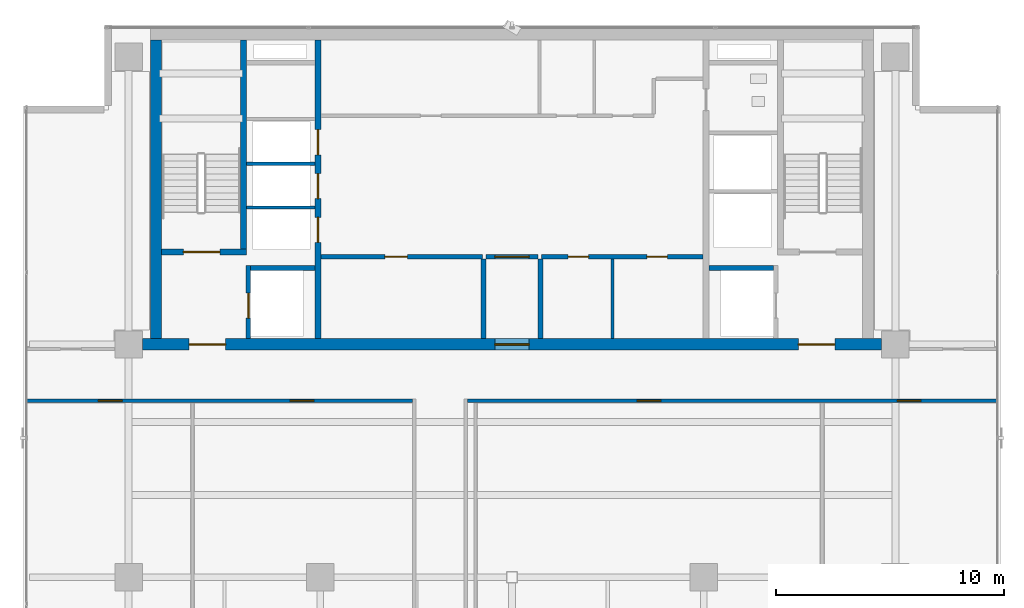
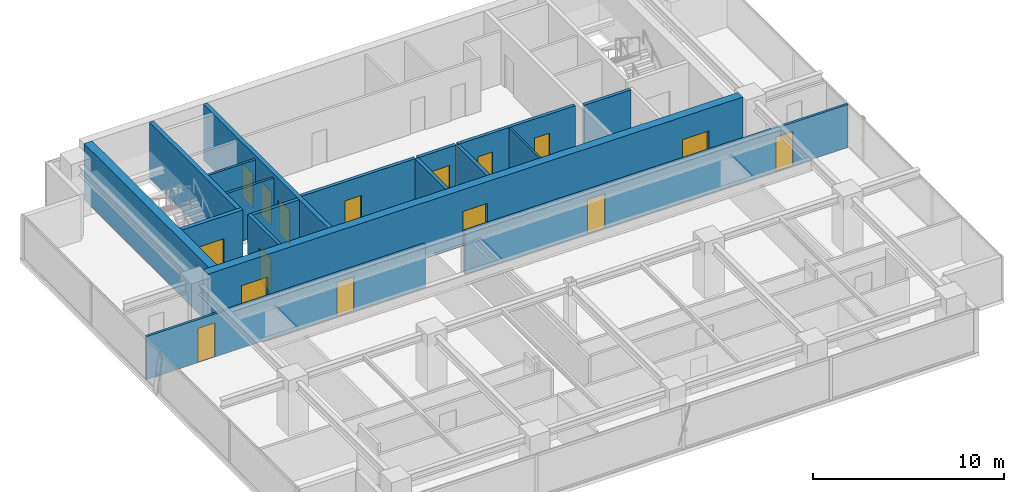
# One storey, part 15 of 20: 18 walls, 16 doors, 16 openings.
"""IFC4 building model written with IfcOpenShell, lengths in metres."""

from ifc_helpers import new_model, si_unit, direction, frame, frame_2d, origin, place, context, subcontext, project, spatial, rectangle, extrude, source, transform, mapped, material, layer, layer_set, type_object, element, fill, save


model = new_model("IFC4")

# Units and contexts
model_context = context("Model", 3, precision=1e-05, world=origin(), true_north=direction((0.0, 1.0)))
body_context = subcontext(model_context, "Body", "Model", "MODEL_VIEW")
ifc_project = project(units=[si_unit("LENGTHUNIT", "METRE"), si_unit("AREAUNIT", "SQUARE_METRE"), si_unit("VOLUMEUNIT", "CUBIC_METRE"), si_unit("PLANEANGLEUNIT", "RADIAN"), si_unit("MASSUNIT", "GRAM", prefix="KILO")], contexts=[model_context])

# Site, building, storey
site_placement = place(None, origin())
site = spatial("IfcSite", under=ifc_project, at=site_placement, CompositionType="ELEMENT")
building_placement = place(site_placement, origin())
building = spatial("IfcBuilding", under=site, at=building_placement, Name="Sumidabori Civic Tower", CompositionType="ELEMENT")
storey_placement = place(building_placement, frame((0.0, 0.0, 282.800048828125)))
storey = spatial("IfcBuildingStorey", under=building, at=storey_placement, Name="L74", CompositionType="ELEMENT", Elevation=282.800048828125)

# Walls
ifc_material_1 = material(Name="Concrete C50/60", Category="concrete")
ifc_layer_1 = layer(ifc_material_1, 0.199951171875, Name="Concrete C50/60")
ifc_layer_set_1 = layer_set([ifc_layer_1], Name="Concrete C50/60")
wall_type_1 = type_object("IfcWallType", Name="WL-SHAFT-200", PredefinedType="SHEAR", material=ifc_layer_set_1)
shared_shape_1 = source(origin(), body_context, "Body", "SweptSolid", [
    extrude(rectangle(XDim=2.824951171875, YDim=0.199951171875, at=frame_2d((1.41259765625, 0.0))), origin(), (0.0, 0.0, 1.0), 3.599853515625),
])
for number, where, z_axis, x_axis, name in (
    (1, (-11.449951171875, 13.550048828125, 0.0), (0.0, 0.0, 1.0), (1.0, 0.0, 0.0), "Core Shear Wall L74 EL1-N"),
    (2, (8.625, 13.550048828125, 0.0), (0.0, 0.0, 1.0), (1.0, 0.0, 0.0), "Core Shear Wall L74 EL2-N"),
):
    element("IfcWall", number, at=place(storey_placement, frame(where, z_axis=z_axis, x_axis=x_axis)), inside=storey, type_object=wall_type_1, Name=name, PredefinedType="SHEAR", context=body_context, shape_type="MappedRepresentation", body=[
        mapped(shared_shape_1, transform((0.0, 0.0, 0.0), x_axis=(1.0, 0.0, 0.0), y_axis=(0.0, 1.0, 0.0), z_axis=(0.0, 0.0, 1.0), scale=1.0)),
    ])
ifc_layer_2 = layer(ifc_material_1, 0.5, Name="Concrete C50/60")
ifc_layer_set_2 = layer_set([ifc_layer_2], Name="Concrete C50/60")
wall_type_2 = type_object("IfcWallType", Name="WL-CORE-500", PredefinedType="SHEAR", material=ifc_layer_set_2)
shared_shape_2 = source(origin(), body_context, "Body", "SweptSolid", [
    extrude(rectangle(XDim=13.10009765625, YDim=0.5, at=frame_2d((6.550048828125, 0.0))), origin(), (0.0, 0.0, 1.0), 3.599853515625),
])
wall_1_placement = place(storey_placement, frame((-15.60009765625, 10.449951171875, 0.0), z_axis=(0.0, 0.0, 1.0), x_axis=(0.0, 1.0, 0.0)))
element("IfcWall", 3, at=wall_1_placement, inside=storey, type_object=wall_type_2, Name="Core Shear Wall L74 W", PredefinedType="SHEAR", context=body_context, shape_type="MappedRepresentation", body=[
    mapped(shared_shape_2, transform((0.0, 0.0, 0.0), x_axis=(1.0, 0.0, 0.0), y_axis=(0.0, 1.0, 0.0), z_axis=(0.0, 0.0, 1.0), scale=1.0)),
])

# Wall, openings, doors
ifc_layer_3 = layer(ifc_material_1, 0.25, Name="Concrete C50/60")
ifc_layer_set_3 = layer_set([ifc_layer_3], Name="Concrete C50/60")
wall_type_3 = type_object("IfcWallType", Name="WL-SHAFT-250", PredefinedType="SHEAR", material=ifc_layer_set_3)
shared_shape_3 = source(origin(), body_context, "Body", "SweptSolid", [
    extrude(rectangle(XDim=13.10009765625, YDim=0.25, at=frame_2d((6.550048828125, 0.0))), origin(), (0.0, 0.0, 1.0), 3.599853515625),
])
wall_2_placement = place(storey_placement, frame((-8.5, 10.449951171875, 0.0), z_axis=(0.0, 0.0, 1.0), x_axis=(0.0, 1.0, 0.0)))
wall_2 = element("IfcWall", 4, at=wall_2_placement, inside=storey, type_object=wall_type_3, Name="Core Shear Wall L74 WEB-W", PredefinedType="SHEAR", context=body_context, shape_type="MappedRepresentation", body=[
    mapped(shared_shape_3, transform((0.0, 0.0, 0.0), x_axis=(1.0, 0.0, 0.0), y_axis=(0.0, 1.0, 0.0), z_axis=(0.0, 0.0, 1.0), scale=1.0)),
])
opening_1_placement = place(wall_2_placement, frame((4.219970703125, 0.0, 0.0)))
opening_1 = element("IfcOpeningElement", 5, at=opening_1_placement, cuts=wall_2, Name="Opening LD-1", PredefinedType="OPENING", context=body_context, shape_type="SweptSolid", body=[
    extrude(rectangle(XDim=1.10009765625, YDim=2.14990234375, at=frame_2d((0.550048828125, 1.074951171875))), frame((0.0, 0.136962890625, 0.0), z_axis=(0.0, -1.0, 0.0), x_axis=(1.0, 0.0, 0.0)), (0.0, 0.0, 1.0), 0.27392578125),
])
opening_2_placement = place(wall_2_placement, frame((6.139892578125, 0.0, 0.0)))
opening_2 = element("IfcOpeningElement", 6, at=opening_2_placement, cuts=wall_2, Name="Opening LD-1", PredefinedType="OPENING", context=body_context, shape_type="SweptSolid", body=[
    extrude(rectangle(XDim=1.10009765625, YDim=2.14990234375, at=frame_2d((0.550048828125, 1.074951171875))), frame((0.0, 0.136962890625, 0.0), z_axis=(0.0, -1.0, 0.0), x_axis=(1.0, 0.0, 0.0)), (0.0, 0.0, 1.0), 0.27392578125),
])
opening_3_placement = place(wall_2_placement, frame((8.06005859375, 0.0, 0.0)))
opening_3 = element("IfcOpeningElement", 7, at=opening_3_placement, cuts=wall_2, Name="Opening LD-1", PredefinedType="OPENING", context=body_context, shape_type="SweptSolid", body=[
    extrude(rectangle(XDim=1.10009765625, YDim=2.14990234375, at=frame_2d((0.550048828125, 1.074951171875))), frame((0.0, 0.136962890625, 0.0), z_axis=(0.0, -1.0, 0.0), x_axis=(1.0, 0.0, 0.0)), (0.0, 0.0, 1.0), 0.27392578125),
])
ifc_material_2 = material(Name="Stainless Steel Hairline Finish", Category="steel")
door_type_1 = type_object("IfcDoorType", Name="DR-LD1", OperationType="DOUBLE_DOOR_SLIDING", PredefinedType="DOOR", material=ifc_material_2)
shared_shape_4 = source(origin(), body_context, "Body", "SweptSolid", [
    extrude(rectangle(XDim=1.10009765625, YDim=2.14990234375, at=frame_2d((0.550048828125, 1.074951171875))), frame((0.0, 0.02490234375, 0.0), z_axis=(0.0, -1.0, 0.0), x_axis=(1.0, 0.0, 0.0)), (0.0, 0.0, 1.0), 0.050048828125),
])
door_1_placement = place(opening_1_placement, origin())
door_1 = element("IfcDoor", 8, at=door_1_placement, inside=storey, type_object=door_type_1, Name="Door DR:L74:LD-PLH1", OperationType="DOUBLE_DOOR_SLIDING", OverallHeight=2.14990234375, OverallWidth=1.10009765625, PredefinedType="DOOR", context=body_context, shape_type="MappedRepresentation", body=[
    mapped(shared_shape_4, transform((0.0, 0.0, 0.0), x_axis=(1.0, 0.0, 0.0), y_axis=(0.0, 1.0, 0.0), z_axis=(0.0, 0.0, 1.0), scale=1.0)),
])
fill(opening_1, door_1)
door_2_placement = place(opening_2_placement, origin())
door_2 = element("IfcDoor", 9, at=door_2_placement, inside=storey, type_object=door_type_1, Name="Door DR:L74:LD-PLH2", OperationType="DOUBLE_DOOR_SLIDING", OverallHeight=2.14990234375, OverallWidth=1.10009765625, PredefinedType="DOOR", context=body_context, shape_type="MappedRepresentation", body=[
    mapped(shared_shape_4, transform((0.0, 0.0, 0.0), x_axis=(1.0, 0.0, 0.0), y_axis=(0.0, 1.0, 0.0), z_axis=(0.0, 0.0, 1.0), scale=1.0)),
])
fill(opening_2, door_2)
door_3_placement = place(opening_3_placement, origin())
door_3 = element("IfcDoor", 10, at=door_3_placement, inside=storey, type_object=door_type_1, Name="Door DR:L74:LD-PLH3", OperationType="DOUBLE_DOOR_SLIDING", OverallHeight=2.14990234375, OverallWidth=1.10009765625, PredefinedType="DOOR", context=body_context, shape_type="MappedRepresentation", body=[
    mapped(shared_shape_4, transform((0.0, 0.0, 0.0), x_axis=(1.0, 0.0, 0.0), y_axis=(0.0, 1.0, 0.0), z_axis=(0.0, 0.0, 1.0), scale=1.0)),
])
fill(opening_3, door_3)

# Wall, opening, door
shared_shape_5 = source(origin(), body_context, "Body", "SweptSolid", [
    extrude(rectangle(XDim=3.705078125, YDim=0.25, at=frame_2d((1.8525390625, 0.0))), origin(), (0.0, 0.0, 1.0), 3.599853515625),
])
wall_3_placement = place(storey_placement, frame((-15.35009765625, 14.25, 0.0), z_axis=(0.0, 0.0, 1.0), x_axis=(1.0, 0.0, 0.0)))
wall_3 = element("IfcWall", 11, at=wall_3_placement, inside=storey, type_object=wall_type_3, Name="Core Shear Wall L74 ST1-S", PredefinedType="SHEAR", context=body_context, shape_type="MappedRepresentation", body=[
    mapped(shared_shape_5, transform((0.0, 0.0, 0.0), x_axis=(1.0, 0.0, 0.0), y_axis=(0.0, 1.0, 0.0), z_axis=(0.0, 0.0, 1.0), scale=1.0)),
])
opening_4_placement = place(wall_3_placement, frame((0.949951171875, 0.0, 0.0)))
opening_4 = element("IfcOpeningElement", 12, at=opening_4_placement, cuts=wall_3, Name="Opening DR-FD4", PredefinedType="OPENING", context=body_context, shape_type="SweptSolid", body=[
    extrude(rectangle(XDim=1.60009765625, YDim=2.14990234375, at=frame_2d((0.800048828125, 1.074951171875))), frame((0.0, 0.136962890625, 0.0), z_axis=(0.0, -1.0, 0.0), x_axis=(1.0, 0.0, 0.0)), (0.0, 0.0, 1.0), 0.27392578125),
])
ifc_material_3 = material(Name="Steel SN490", Category="steel")
door_type_2 = type_object("IfcDoorType", Name="DR-FD4", OperationType="DOUBLE_DOOR_SINGLE_SWING", PredefinedType="DOOR", material=ifc_material_3)
shared_shape_6 = source(origin(), body_context, "Body", "SweptSolid", [
    extrude(rectangle(XDim=1.60009765625, YDim=2.14990234375, at=frame_2d((0.800048828125, 1.074951171875))), frame((0.0, 0.02490234375, 0.0), z_axis=(0.0, -1.0, 0.0), x_axis=(1.0, 0.0, 0.0)), (0.0, 0.0, 1.0), 0.050048828125),
])
door_4_placement = place(opening_4_placement, origin())
door_4 = element("IfcDoor", 13, at=door_4_placement, inside=storey, type_object=door_type_2, Name="Door DR:L74:ST1", OperationType="DOUBLE_DOOR_SINGLE_SWING", OverallHeight=2.14990234375, OverallWidth=1.60009765625, PredefinedType="DOOR", context=body_context, shape_type="MappedRepresentation", body=[
    mapped(shared_shape_6, transform((0.0, 0.0, 0.0), x_axis=(1.0, 0.0, 0.0), y_axis=(0.0, 1.0, 0.0), z_axis=(0.0, 0.0, 1.0), scale=1.0)),
])
fill(opening_4, door_4)

# Wall
shared_shape_7 = source(origin(), body_context, "Body", "SweptSolid", [
    extrude(rectangle(XDim=9.175048828125, YDim=0.25, at=frame_2d((4.58740234375, 0.0))), origin(), (0.0, 0.0, 1.0), 3.599853515625),
])
wall_4_placement = place(storey_placement, frame((-11.77001953125, 14.375, 0.0), z_axis=(0.0, 0.0, 1.0), x_axis=(0.0, 1.0, 0.0)))
element("IfcWall", 14, at=wall_4_placement, inside=storey, type_object=wall_type_3, Name="Core Shear Wall L74 ST1-E", PredefinedType="SHEAR", context=body_context, shape_type="MappedRepresentation", body=[
    mapped(shared_shape_7, transform((0.0, 0.0, 0.0), x_axis=(1.0, 0.0, 0.0), y_axis=(0.0, 1.0, 0.0), z_axis=(0.0, 0.0, 1.0), scale=1.0)),
])

# Wall, opening, door
shared_shape_8 = source(origin(), body_context, "Body", "SweptSolid", [
    extrude(rectangle(XDim=3.199951171875, YDim=0.199951171875, at=frame_2d((1.60009765625, 0.0))), origin(), (0.0, 0.0, 1.0), 3.599853515625),
])
wall_5_placement = place(storey_placement, frame((-11.550048828125, 10.449951171875, 0.0), z_axis=(0.0, 0.0, 1.0), x_axis=(0.0, 1.0, 0.0)))
wall_5 = element("IfcWall", 15, at=wall_5_placement, inside=storey, type_object=wall_type_1, Name="Core Shear Wall L74 EL1-W", PredefinedType="SHEAR", context=body_context, shape_type="MappedRepresentation", body=[
    mapped(shared_shape_8, transform((0.0, 0.0, 0.0), x_axis=(1.0, 0.0, 0.0), y_axis=(0.0, 1.0, 0.0), z_axis=(0.0, 0.0, 1.0), scale=1.0)),
])
opening_5_placement = place(wall_5_placement, frame((0.89990234375, 0.0, 0.0)))
opening_5 = element("IfcOpeningElement", 16, at=opening_5_placement, cuts=wall_5, Name="Opening LD-2", PredefinedType="OPENING", context=body_context, shape_type="SweptSolid", body=[
    extrude(rectangle(XDim=1.10009765625, YDim=2.14990234375, at=frame_2d((0.550048828125, 1.074951171875))), frame((0.0, 0.11181640625, 0.0), z_axis=(0.0, -1.0, 0.0), x_axis=(1.0, 0.0, 0.0)), (0.0, 0.0, 1.0), 0.223876953125),
])
door_type_3 = type_object("IfcDoorType", Name="DR-LD2", OperationType="DOUBLE_DOOR_SLIDING", PredefinedType="DOOR", material=ifc_material_2)
door_5_placement = place(opening_5_placement, origin())
door_5 = element("IfcDoor", 17, at=door_5_placement, inside=storey, type_object=door_type_3, Name="Door DR:L74:LD-EL1", OperationType="DOUBLE_DOOR_SLIDING", OverallHeight=2.14990234375, OverallWidth=1.10009765625, PredefinedType="DOOR", context=body_context, shape_type="MappedRepresentation", body=[
    mapped(shared_shape_4, transform((0.0, 0.0, 0.0), x_axis=(1.0, 0.0, 0.0), y_axis=(0.0, 1.0, 0.0), z_axis=(0.0, 0.0, 1.0), scale=1.0)),
])
fill(opening_5, door_5)

# Wall, openings, doors
shared_shape_9 = source(origin(), body_context, "Body", "SweptSolid", [
    extrude(rectangle(XDim=32.39990234375, YDim=0.5, at=frame_2d((16.199951171875, 0.0))), origin(), (0.0, 0.0, 1.0), 3.599853515625),
])
wall_6_placement = place(storey_placement, frame((-16.199951171875, 10.199951171875, 0.0), z_axis=(0.0, 0.0, 1.0), x_axis=(1.0, 0.0, 0.0)))
wall_6 = element("IfcWall", 18, at=wall_6_placement, inside=storey, type_object=wall_type_2, Name="Core Shear Wall L74 S", PredefinedType="SHEAR", context=body_context, shape_type="MappedRepresentation", body=[
    mapped(shared_shape_9, transform((0.0, 0.0, 0.0), x_axis=(1.0, 0.0, 0.0), y_axis=(0.0, 1.0, 0.0), z_axis=(0.0, 0.0, 1.0), scale=1.0)),
])
opening_6_placement = place(wall_6_placement, frame((2.050048828125, 0.0, 0.0)))
opening_6 = element("IfcOpeningElement", 19, at=opening_6_placement, cuts=wall_6, Name="Opening DR-FD4", PredefinedType="OPENING", context=body_context, shape_type="SweptSolid", body=[
    extrude(rectangle(XDim=1.60009765625, YDim=2.14990234375, at=frame_2d((0.800048828125, 1.074951171875))), frame((0.0, 0.261962890625, 0.0), z_axis=(0.0, -1.0, 0.0), x_axis=(1.0, 0.0, 0.0)), (0.0, 0.0, 1.0), 0.52392578125),
])
opening_7_placement = place(wall_6_placement, frame((28.75, 0.0, 0.0)))
opening_7 = element("IfcOpeningElement", 20, at=opening_7_placement, cuts=wall_6, Name="Opening DR-FD4", PredefinedType="OPENING", context=body_context, shape_type="SweptSolid", body=[
    extrude(rectangle(XDim=1.60009765625, YDim=2.14990234375, at=frame_2d((0.800048828125, 1.074951171875))), frame((0.0, 0.261962890625, 0.0), z_axis=(0.0, -1.0, 0.0), x_axis=(1.0, 0.0, 0.0)), (0.0, 0.0, 1.0), 0.52392578125),
])
opening_8_placement = place(wall_6_placement, frame((15.449951171875, 0.0, 0.0)))
opening_8 = element("IfcOpeningElement", 21, at=opening_8_placement, cuts=wall_6, Name="Opening DR-FD3", PredefinedType="OPENING", context=body_context, shape_type="SweptSolid", body=[
    extrude(rectangle(XDim=1.5, YDim=2.199951171875, at=frame_2d((0.75, 1.10009765625))), frame((0.0, 0.261962890625, 0.0), z_axis=(0.0, -1.0, 0.0), x_axis=(1.0, 0.0, 0.0)), (0.0, 0.0, 1.0), 0.52392578125),
])
door_6_placement = place(opening_6_placement, origin())
door_6 = element("IfcDoor", 22, at=door_6_placement, inside=storey, type_object=door_type_2, Name="Door DR:L74:ELOB-W", OperationType="DOUBLE_DOOR_SINGLE_SWING", OverallHeight=2.14990234375, OverallWidth=1.60009765625, PredefinedType="DOOR", context=body_context, shape_type="MappedRepresentation", body=[
    mapped(shared_shape_6, transform((0.0, 0.0, 0.0), x_axis=(1.0, 0.0, 0.0), y_axis=(0.0, 1.0, 0.0), z_axis=(0.0, 0.0, 1.0), scale=1.0)),
])
fill(opening_6, door_6)
door_7_placement = place(opening_7_placement, origin())
door_7 = element("IfcDoor", 23, at=door_7_placement, inside=storey, type_object=door_type_2, Name="Door DR:L74:ELOB-E", OperationType="DOUBLE_DOOR_SINGLE_SWING", OverallHeight=2.14990234375, OverallWidth=1.60009765625, PredefinedType="DOOR", context=body_context, shape_type="MappedRepresentation", body=[
    mapped(shared_shape_6, transform((0.0, 0.0, 0.0), x_axis=(1.0, 0.0, 0.0), y_axis=(0.0, 1.0, 0.0), z_axis=(0.0, 0.0, 1.0), scale=1.0)),
])
fill(opening_7, door_7)
door_type_4 = type_object("IfcDoorType", Name="DR-FD-DBL", OperationType="DOUBLE_DOOR_SINGLE_SWING", PredefinedType="DOOR", material=ifc_material_3)
shared_shape_10 = source(origin(), body_context, "Body", "SweptSolid", [
    extrude(rectangle(XDim=1.5, YDim=2.199951171875, at=frame_2d((0.75, 1.10009765625))), frame((0.0, 0.02490234375, 0.0), z_axis=(0.0, -1.0, 0.0), x_axis=(1.0, 0.0, 0.0)), (0.0, 0.0, 1.0), 0.050048828125),
])
door_8_placement = place(opening_8_placement, origin())
door_8 = element("IfcDoor", 24, at=door_8_placement, inside=storey, type_object=door_type_4, Name="Door DR:L74:THROAT-OUT", OperationType="DOUBLE_DOOR_SINGLE_SWING", OverallHeight=2.199951171875, OverallWidth=1.5, PredefinedType="DOOR", context=body_context, shape_type="MappedRepresentation", body=[
    mapped(shared_shape_10, transform((0.0, 0.0, 0.0), x_axis=(1.0, 0.0, 0.0), y_axis=(0.0, 1.0, 0.0), z_axis=(0.0, 0.0, 1.0), scale=1.0)),
])
fill(opening_8, door_8)

# Walls
ifc_material_4 = material(Name="Gypsum Plasterboard Acoustic Partition")
ifc_layer_4 = layer(ifc_material_4, 0.14990234375, Name="Gypsum Plasterboard Acoustic Partition")
ifc_layer_set_4 = layer_set([ifc_layer_4], Name="Gypsum Plasterboard Acoustic Partition")
wall_type_4 = type_object("IfcWallType", Name="WL-PART-150", PredefinedType="PARTITIONING", material=ifc_layer_set_4)
shared_shape_11 = source(origin(), body_context, "Body", "SweptSolid", [
    extrude(rectangle(XDim=3.010009765625, YDim=0.14990234375, at=frame_2d((1.5048828125, 0.0))), origin(), (0.0, 0.0, 1.0), 3.369873046875),
])
for number, where, z_axis, x_axis, name in (
    (25, (-11.639892578125, 16.199951171875, 0.0), (0.0, 0.0, 1.0), (1.0, 0.0, 0.0), "Interior Partition WL:L74:DIV-PLH1"),
    (26, (-11.639892578125, 18.1201171875, 0.0), (0.0, 0.0, 1.0), (1.0, 0.0, 0.0), "Interior Partition WL:L74:DIV-PLH2"),
):
    element("IfcWall", number, at=place(storey_placement, frame(where, z_axis=z_axis, x_axis=x_axis)), inside=storey, type_object=wall_type_4, Name=name, PredefinedType="PARTITIONING", context=body_context, shape_type="MappedRepresentation", body=[
        mapped(shared_shape_11, transform((0.0, 0.0, 0.0), x_axis=(1.0, 0.0, 0.0), y_axis=(0.0, 1.0, 0.0), z_axis=(0.0, 0.0, 1.0), scale=1.0)),
    ])

# Wall, opening, door
ifc_material_5 = material(Name="Gypsum Plasterboard Fire Partition")
ifc_layer_5 = layer(ifc_material_5, 0.199951171875, Name="Gypsum Plasterboard Fire Partition")
ifc_layer_set_5 = layer_set([ifc_layer_5], Name="Gypsum Plasterboard Fire Partition")
wall_type_5 = type_object("IfcWallType", Name="WL-PART-FIRE", PredefinedType="PARTITIONING", material=ifc_layer_set_5)
shared_shape_12 = source(origin(), body_context, "Body", "SweptSolid", [
    extrude(rectangle(XDim=7.070068359375, YDim=0.199951171875, at=frame_2d((3.53515625, 0.0))), origin(), (0.0, 0.0, 1.0), 3.369873046875),
])
wall_7_placement = place(storey_placement, frame((-8.3701171875, 14.050048828125, 0.0), z_axis=(0.0, 0.0, 1.0), x_axis=(1.0, 0.0, 0.0)))
wall_7 = element("IfcWall", 27, at=wall_7_placement, inside=storey, type_object=wall_type_5, Name="Interior Partition WL:L74:CBAND-SW", PredefinedType="PARTITIONING", context=body_context, shape_type="MappedRepresentation", body=[
    mapped(shared_shape_12, transform((0.0, 0.0, 0.0), x_axis=(1.0, 0.0, 0.0), y_axis=(0.0, 1.0, 0.0), z_axis=(0.0, 0.0, 1.0), scale=1.0)),
])
opening_9_placement = place(wall_7_placement, frame((2.800048828125, 0.0, 0.0)))
opening_9 = element("IfcOpeningElement", 28, at=opening_9_placement, cuts=wall_7, Name="Opening DR-3", PredefinedType="OPENING", context=body_context, shape_type="SweptSolid", body=[
    extrude(rectangle(XDim=0.97998046875, YDim=2.14990234375, at=frame_2d((0.489990234375, 1.074951171875))), frame((0.0, 0.11181640625, 0.0), z_axis=(0.0, -1.0, 0.0), x_axis=(1.0, 0.0, 0.0)), (0.0, 0.0, 1.0), 0.223876953125),
])
ifc_material_6 = material(Name="Japanese Hinoki Timber", Category="wood")
door_type_5 = type_object("IfcDoorType", Name="DR-INT-980", OperationType="NOTDEFINED", PredefinedType="DOOR", material=ifc_material_6)
shared_shape_13 = source(origin(), body_context, "Body", "SweptSolid", [
    extrude(rectangle(XDim=0.97998046875, YDim=2.14990234375, at=frame_2d((0.489990234375, 1.074951171875))), frame((0.0, 0.02490234375, 0.0), z_axis=(0.0, -1.0, 0.0), x_axis=(1.0, 0.0, 0.0)), (0.0, 0.0, 1.0), 0.050048828125),
])
door_9_placement = place(opening_9_placement, origin())
door_9 = element("IfcDoor", 29, at=door_9_placement, inside=storey, type_object=door_type_5, Name="Door DR:L74:REC-B1", OperationType="SINGLE_SWING_LEFT", OverallHeight=2.14990234375, OverallWidth=0.97998046875, PredefinedType="DOOR", context=body_context, shape_type="MappedRepresentation", body=[
    mapped(shared_shape_13, transform((0.0, 0.0, 0.0), x_axis=(1.0, 0.0, 0.0), y_axis=(0.0, 1.0, 0.0), z_axis=(0.0, 0.0, 1.0), scale=1.0)),
])
fill(opening_9, door_9)

# Wall, openings, doors
wall_8_placement = place(storey_placement, frame((1.300048828125, 14.050048828125, 0.0), z_axis=(0.0, 0.0, 1.0), x_axis=(1.0, 0.0, 0.0)))
wall_8 = element("IfcWall", 30, at=wall_8_placement, inside=storey, type_object=wall_type_5, Name="Interior Partition WL:L74:CBAND-SE", PredefinedType="PARTITIONING", context=body_context, shape_type="MappedRepresentation", body=[
    mapped(shared_shape_12, transform((0.0, 0.0, 0.0), x_axis=(1.0, 0.0, 0.0), y_axis=(0.0, 1.0, 0.0), z_axis=(0.0, 0.0, 1.0), scale=1.0)),
])
opening_10_placement = place(wall_8_placement, frame((1.159912109375, 0.0, 0.0)))
opening_10 = element("IfcOpeningElement", 31, at=opening_10_placement, cuts=wall_8, Name="Opening DR-1", PredefinedType="OPENING", context=body_context, shape_type="SweptSolid", body=[
    extrude(rectangle(XDim=0.89990234375, YDim=2.14990234375, at=frame_2d((0.449951171875, 1.074951171875))), frame((0.0, 0.11181640625, 0.0), z_axis=(0.0, -1.0, 0.0), x_axis=(1.0, 0.0, 0.0)), (0.0, 0.0, 1.0), 0.223876953125),
])
opening_11_placement = place(wall_8_placement, frame((4.610107421875, 0.0, 0.0)))
opening_11 = element("IfcOpeningElement", 32, at=opening_11_placement, cuts=wall_8, Name="Opening DR-1", PredefinedType="OPENING", context=body_context, shape_type="SweptSolid", body=[
    extrude(rectangle(XDim=0.89990234375, YDim=2.14990234375, at=frame_2d((0.449951171875, 1.074951171875))), frame((0.0, 0.11181640625, 0.0), z_axis=(0.0, -1.0, 0.0), x_axis=(1.0, 0.0, 0.0)), (0.0, 0.0, 1.0), 0.223876953125),
])
door_type_6 = type_object("IfcDoorType", Name="DR-INT-900", OperationType="NOTDEFINED", PredefinedType="DOOR", material=ifc_material_6)
shared_shape_14 = source(origin(), body_context, "Body", "SweptSolid", [
    extrude(rectangle(XDim=0.89990234375, YDim=2.14990234375, at=frame_2d((0.449951171875, 1.074951171875))), frame((0.0, 0.02490234375, 0.0), z_axis=(0.0, -1.0, 0.0), x_axis=(1.0, 0.0, 0.0)), (0.0, 0.0, 1.0), 0.050048828125),
])
door_10_placement = place(opening_10_placement, origin())
door_10 = element("IfcDoor", 33, at=door_10_placement, inside=storey, type_object=door_type_6, Name="Door DR:L74:REC-B2A", OperationType="SINGLE_SWING_LEFT", OverallHeight=2.14990234375, OverallWidth=0.89990234375, PredefinedType="DOOR", context=body_context, shape_type="MappedRepresentation", body=[
    mapped(shared_shape_14, transform((0.0, 0.0, 0.0), x_axis=(1.0, 0.0, 0.0), y_axis=(0.0, 1.0, 0.0), z_axis=(0.0, 0.0, 1.0), scale=1.0)),
])
fill(opening_10, door_10)
door_11_placement = place(opening_11_placement, origin())
door_11 = element("IfcDoor", 34, at=door_11_placement, inside=storey, type_object=door_type_6, Name="Door DR:L74:REC-B2B", OperationType="SINGLE_SWING_RIGHT", OverallHeight=2.14990234375, OverallWidth=0.89990234375, PredefinedType="DOOR", context=body_context, shape_type="MappedRepresentation", body=[
    mapped(shared_shape_14, transform((0.0, 0.0, 0.0), x_axis=(1.0, 0.0, 0.0), y_axis=(0.0, 1.0, 0.0), z_axis=(0.0, 0.0, 1.0), scale=1.0)),
])
fill(opening_11, door_11)

# Walls
shared_shape_15 = source(origin(), body_context, "Body", "SweptSolid", [
    extrude(rectangle(XDim=3.489990234375, YDim=0.199951171875, at=frame_2d((1.7451171875, 0.0))), origin(), (0.0, 0.0, 1.0), 3.369873046875),
])
for number, where, z_axis, x_axis, name in (
    (35, (-1.25, 10.449951171875, 0.0), (0.0, 0.0, 1.0), (0.0, 1.0, 0.0), "Interior Partition WL:L74:THROAT-W"),
    (36, (1.25, 10.449951171875, 0.0), (0.0, 0.0, 1.0), (0.0, 1.0, 0.0), "Interior Partition WL:L74:THROAT-E"),
):
    element("IfcWall", number, at=place(storey_placement, frame(where, z_axis=z_axis, x_axis=x_axis)), inside=storey, type_object=wall_type_5, Name=name, PredefinedType="PARTITIONING", context=body_context, shape_type="MappedRepresentation", body=[
        mapped(shared_shape_15, transform((0.0, 0.0, 0.0), x_axis=(1.0, 0.0, 0.0), y_axis=(0.0, 1.0, 0.0), z_axis=(0.0, 0.0, 1.0), scale=1.0)),
    ])

# Wall, opening, door
shared_shape_16 = source(origin(), body_context, "Body", "SweptSolid", [
    extrude(rectangle(XDim=2.2998046875, YDim=0.199951171875, at=frame_2d((1.14990234375, 0.0))), origin(), (0.0, 0.0, 1.0), 3.369873046875),
])
wall_9_placement = place(storey_placement, frame((-1.14990234375, 14.050048828125, 0.0), z_axis=(0.0, 0.0, 1.0), x_axis=(1.0, 0.0, 0.0)))
wall_9 = element("IfcWall", 37, at=wall_9_placement, inside=storey, type_object=wall_type_5, Name="Interior Partition WL:L74:THROAT-N", PredefinedType="PARTITIONING", context=body_context, shape_type="MappedRepresentation", body=[
    mapped(shared_shape_16, transform((0.0, 0.0, 0.0), x_axis=(1.0, 0.0, 0.0), y_axis=(0.0, 1.0, 0.0), z_axis=(0.0, 0.0, 1.0), scale=1.0)),
])
opening_12_placement = place(wall_9_placement, frame((0.39990234375, 0.0, 0.0)))
opening_12 = element("IfcOpeningElement", 38, at=opening_12_placement, cuts=wall_9, Name="Opening DR-FD3", PredefinedType="OPENING", context=body_context, shape_type="SweptSolid", body=[
    extrude(rectangle(XDim=1.5, YDim=2.199951171875, at=frame_2d((0.75, 1.10009765625))), frame((0.0, 0.11181640625, 0.0), z_axis=(0.0, -1.0, 0.0), x_axis=(1.0, 0.0, 0.0)), (0.0, 0.0, 1.0), 0.223876953125),
])
door_12_placement = place(opening_12_placement, origin())
door_12 = element("IfcDoor", 39, at=door_12_placement, inside=storey, type_object=door_type_4, Name="Door DR:L74:THROAT-IN", OperationType="DOUBLE_DOOR_SINGLE_SWING", OverallHeight=2.199951171875, OverallWidth=1.5, PredefinedType="DOOR", context=body_context, shape_type="MappedRepresentation", body=[
    mapped(shared_shape_10, transform((0.0, 0.0, 0.0), x_axis=(1.0, 0.0, 0.0), y_axis=(0.0, 1.0, 0.0), z_axis=(0.0, 0.0, 1.0), scale=1.0)),
])
fill(opening_12, door_12)

# Wall
ifc_layer_6 = layer(ifc_material_4, 0.1201171875, Name="Gypsum Plasterboard Acoustic Partition")
ifc_layer_set_6 = layer_set([ifc_layer_6], Name="Gypsum Plasterboard Acoustic Partition")
wall_type_6 = type_object("IfcWallType", Name="WL-PART-120", PredefinedType="PARTITIONING", material=ifc_layer_set_6)
shared_shape_17 = source(origin(), body_context, "Body", "SweptSolid", [
    extrude(rectangle(XDim=3.489990234375, YDim=0.1201171875, at=frame_2d((1.7451171875, 0.0))), origin(), (0.0, 0.0, 1.0), 3.369873046875),
])
wall_10_placement = place(storey_placement, frame((4.39990234375, 10.449951171875, 0.0), z_axis=(0.0, 0.0, 1.0), x_axis=(0.0, 1.0, 0.0)))
element("IfcWall", 40, at=wall_10_placement, inside=storey, type_object=wall_type_6, Name="Interior Partition WL:L74:REC-B2-SP", PredefinedType="PARTITIONING", context=body_context, shape_type="MappedRepresentation", body=[
    mapped(shared_shape_17, transform((0.0, 0.0, 0.0), x_axis=(1.0, 0.0, 0.0), y_axis=(0.0, 1.0, 0.0), z_axis=(0.0, 0.0, 1.0), scale=1.0)),
])

# Wall, openings, doors
shared_shape_18 = source(origin(), body_context, "Body", "SweptSolid", [
    extrude(rectangle(XDim=16.89990234375, YDim=0.14990234375, at=frame_2d((8.449951171875, 0.0))), origin(), (0.0, 0.0, 1.0), 2.7548828125),
])
wall_11_placement = place(storey_placement, frame((-21.25, 7.72509765625, 0.0), z_axis=(0.0, 0.0, 1.0), x_axis=(1.0, 0.0, 0.0)))
wall_11 = element("IfcWall", 41, at=wall_11_placement, inside=storey, type_object=wall_type_4, Name="Interior Partition WL:L74:CORR-SW", PredefinedType="PARTITIONING", context=body_context, shape_type="MappedRepresentation", body=[
    mapped(shared_shape_18, transform((0.0, 0.0, 0.0), x_axis=(1.0, 0.0, 0.0), y_axis=(0.0, 1.0, 0.0), z_axis=(0.0, 0.0, 1.0), scale=1.0)),
])
opening_13_placement = place(wall_11_placement, frame((3.12744140625, 0.0, 0.0)))
opening_13 = element("IfcOpeningElement", 42, at=opening_13_placement, cuts=wall_11, Name="Opening DR-4", PredefinedType="OPENING", context=body_context, shape_type="SweptSolid", body=[
    extrude(rectangle(XDim=1.0400390625, YDim=2.199951171875, at=frame_2d((0.52001953125, 1.10009765625))), frame((0.0, 0.0869140625, 0.0), z_axis=(0.0, -1.0, 0.0), x_axis=(1.0, 0.0, 0.0)), (0.0, 0.0, 1.0), 0.173828125),
])
opening_14_placement = place(wall_11_placement, frame((11.532470703125, 0.0, 0.0)))
opening_14 = element("IfcOpeningElement", 43, at=opening_14_placement, cuts=wall_11, Name="Opening DR-4", PredefinedType="OPENING", context=body_context, shape_type="SweptSolid", body=[
    extrude(rectangle(XDim=1.0400390625, YDim=2.199951171875, at=frame_2d((0.52001953125, 1.10009765625))), frame((0.0, 0.0869140625, 0.0), z_axis=(0.0, -1.0, 0.0), x_axis=(1.0, 0.0, 0.0)), (0.0, 0.0, 1.0), 0.173828125),
])
door_type_7 = type_object("IfcDoorType", Name="DR-INT-1040", OperationType="NOTDEFINED", PredefinedType="DOOR", material=ifc_material_6)
shared_shape_19 = source(origin(), body_context, "Body", "SweptSolid", [
    extrude(rectangle(XDim=1.0400390625, YDim=2.199951171875, at=frame_2d((0.52001953125, 1.10009765625))), frame((0.0, 0.02490234375, 0.0), z_axis=(0.0, -1.0, 0.0), x_axis=(1.0, 0.0, 0.0)), (0.0, 0.0, 1.0), 0.050048828125),
])
door_13_placement = place(opening_13_placement, origin())
door_13 = element("IfcDoor", 44, at=door_13_placement, inside=storey, type_object=door_type_7, Name="Door DR:L74:D03", OperationType="SINGLE_SWING_LEFT", OverallHeight=2.199951171875, OverallWidth=1.0400390625, PredefinedType="DOOR", context=body_context, shape_type="MappedRepresentation", body=[
    mapped(shared_shape_19, transform((0.0, 0.0, 0.0), x_axis=(1.0, 0.0, 0.0), y_axis=(0.0, 1.0, 0.0), z_axis=(0.0, 0.0, 1.0), scale=1.0)),
])
fill(opening_13, door_13)
door_14_placement = place(opening_14_placement, origin())
door_14 = element("IfcDoor", 45, at=door_14_placement, inside=storey, type_object=door_type_7, Name="Door DR:L74:D04", OperationType="SINGLE_SWING_RIGHT", OverallHeight=2.199951171875, OverallWidth=1.0400390625, PredefinedType="DOOR", context=body_context, shape_type="MappedRepresentation", body=[
    mapped(shared_shape_19, transform((0.0, 0.0, 0.0), x_axis=(1.0, 0.0, 0.0), y_axis=(0.0, 1.0, 0.0), z_axis=(0.0, 0.0, 1.0), scale=1.0)),
])
fill(opening_14, door_14)

shared_shape_20 = source(origin(), body_context, "Body", "SweptSolid", [
    extrude(rectangle(XDim=23.199951171875, YDim=0.14990234375, at=frame_2d((11.60009765625, 0.0))), origin(), (0.0, 0.0, 1.0), 2.7548828125),
])
wall_12_placement = place(storey_placement, frame((-1.949951171875, 7.72509765625, 0.0), z_axis=(0.0, 0.0, 1.0), x_axis=(1.0, 0.0, 0.0)))
wall_12 = element("IfcWall", 46, at=wall_12_placement, inside=storey, type_object=wall_type_4, Name="Interior Partition WL:L74:CORR-SE", PredefinedType="PARTITIONING", context=body_context, shape_type="MappedRepresentation", body=[
    mapped(shared_shape_20, transform((0.0, 0.0, 0.0), x_axis=(1.0, 0.0, 0.0), y_axis=(0.0, 1.0, 0.0), z_axis=(0.0, 0.0, 1.0), scale=1.0)),
])
opening_15_placement = place(wall_12_placement, frame((7.429931640625, 0.0, 0.0)))
opening_15 = element("IfcOpeningElement", 47, at=opening_15_placement, cuts=wall_12, Name="Opening DR-4", PredefinedType="OPENING", context=body_context, shape_type="SweptSolid", body=[
    extrude(rectangle(XDim=1.0400390625, YDim=2.199951171875, at=frame_2d((0.52001953125, 1.10009765625))), frame((0.0, 0.0869140625, 0.0), z_axis=(0.0, -1.0, 0.0), x_axis=(1.0, 0.0, 0.0)), (0.0, 0.0, 1.0), 0.173828125),
])
opening_16_placement = place(wall_12_placement, frame((18.83251953125, 0.0, 0.0)))
opening_16 = element("IfcOpeningElement", 48, at=opening_16_placement, cuts=wall_12, Name="Opening DR-4", PredefinedType="OPENING", context=body_context, shape_type="SweptSolid", body=[
    extrude(rectangle(XDim=1.0400390625, YDim=2.199951171875, at=frame_2d((0.52001953125, 1.10009765625))), frame((0.0, 0.0869140625, 0.0), z_axis=(0.0, -1.0, 0.0), x_axis=(1.0, 0.0, 0.0)), (0.0, 0.0, 1.0), 0.173828125),
])
door_15_placement = place(opening_15_placement, origin())
door_15 = element("IfcDoor", 49, at=door_15_placement, inside=storey, type_object=door_type_7, Name="Door DR:L74:D05", OperationType="SINGLE_SWING_LEFT", OverallHeight=2.199951171875, OverallWidth=1.0400390625, PredefinedType="DOOR", context=body_context, shape_type="MappedRepresentation", body=[
    mapped(shared_shape_19, transform((0.0, 0.0, 0.0), x_axis=(1.0, 0.0, 0.0), y_axis=(0.0, 1.0, 0.0), z_axis=(0.0, 0.0, 1.0), scale=1.0)),
])
fill(opening_15, door_15)
door_16_placement = place(opening_16_placement, origin())
door_16 = element("IfcDoor", 50, at=door_16_placement, inside=storey, type_object=door_type_7, Name="Door DR:L74:D06", OperationType="SINGLE_SWING_RIGHT", OverallHeight=2.199951171875, OverallWidth=1.0400390625, PredefinedType="DOOR", context=body_context, shape_type="MappedRepresentation", body=[
    mapped(shared_shape_19, transform((0.0, 0.0, 0.0), x_axis=(1.0, 0.0, 0.0), y_axis=(0.0, 1.0, 0.0), z_axis=(0.0, 0.0, 1.0), scale=1.0)),
])
fill(opening_16, door_16)

save(model, "model.ifc")
